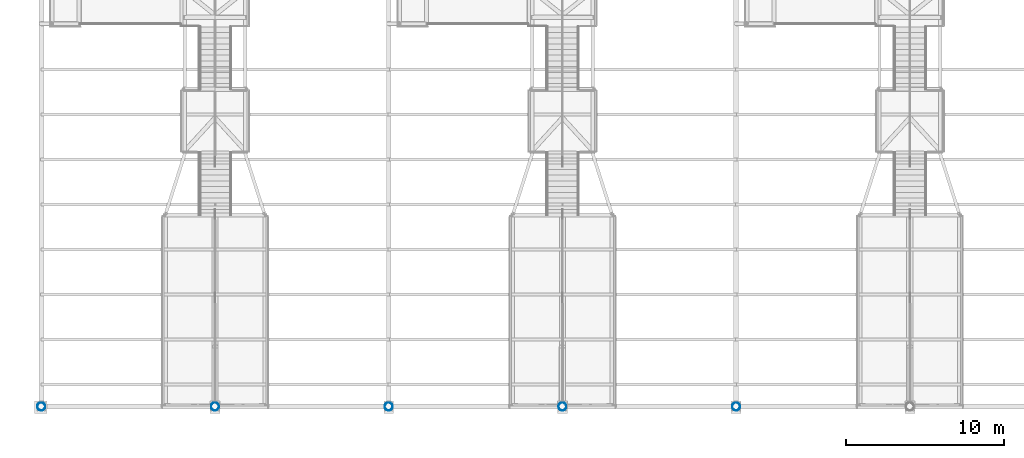
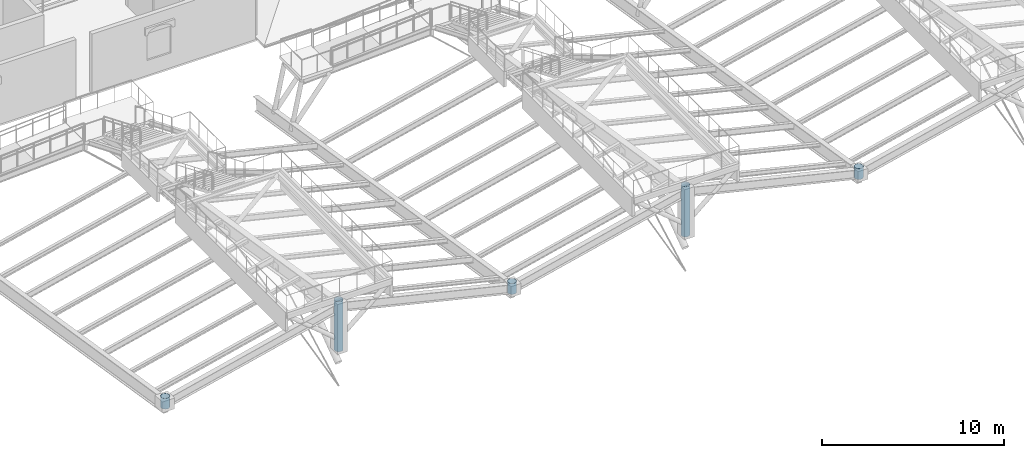
# One storey, part 1 of 43: 5 columns.
"""IFC4 building model written with IfcOpenShell, lengths in metres."""

from ifc_helpers import new_model, si_unit, direction, frame, origin, origin_2d, place, context, subcontext, project, spatial, hollow_circle, extrude, material, material_profile, profile_set, type_object, element, save


model = new_model("IFC4")

# Units and contexts
model_context = context("Model", 3, precision=1e-05, world=origin(), true_north=direction((0.0, 1.0)))
body_context = subcontext(model_context, "Body", "Model", "MODEL_VIEW")
ifc_project = project(units=[si_unit("LENGTHUNIT", "METRE"), si_unit("AREAUNIT", "SQUARE_METRE"), si_unit("VOLUMEUNIT", "CUBIC_METRE"), si_unit("PLANEANGLEUNIT", "RADIAN"), si_unit("MASSUNIT", "GRAM", prefix="KILO")], contexts=[model_context])

# Site, building, storey
site_placement = place(None, origin())
site = spatial("IfcSite", under=ifc_project, at=site_placement, CompositionType="ELEMENT")
building_placement = place(site_placement, origin())
building = spatial("IfcBuilding", under=site, at=building_placement, Name="Caurita Quay Ferry Terminal", CompositionType="ELEMENT")
storey_placement = place(building_placement, frame((0.0, 0.0, 14.10009765625)))
storey = spatial("IfcBuildingStorey", under=building, at=storey_placement, Name="L03", CompositionType="ELEMENT", Elevation=14.10009765625)

# Columns
ifc_material = material(Name="Hollow structural steel ASTM A500 Gr. C", Category="steel")
ifc_material_profile = material_profile(ifc_material, hollow_circle(Radius=0.25390625, WallThickness=0.01171875, at=origin_2d()), Name="HSS20.000X0.500")
ifc_profile_set = profile_set([ifc_material_profile], Name="Hollow structural steel ASTM A500 Gr. C")
column_type = type_object("IfcColumnType", Name="COL-MST-01", PredefinedType="COLUMN", material=ifc_profile_set)
column_1_placement = place(storey_placement, frame((0.0, 34.60009765625, 0.0), z_axis=(0.0, 0.0, 1.0), x_axis=(1.0, 0.0, 0.0)))
element("IfcColumn", 1, at=column_1_placement, inside=storey, type_object=column_type, Name="L03 Column V1-MST-01-S", PredefinedType="COLUMN", context=body_context, shape_type="SweptSolid", body=[
    extrude(hollow_circle(Radius=0.25390625, WallThickness=0.01171875, at=origin_2d()), origin(), (0.0, 0.0, 1.0), 0.719970703125),
])
column_2_placement = place(storey_placement, frame((11.0, 34.60009765625, 0.0), z_axis=(0.0, 0.0, 1.0), x_axis=(1.0, 0.0, 0.0)))
element("IfcColumn", 2, at=column_2_placement, inside=storey, type_object=column_type, Name="L03 Column V1-MST-02-S", PredefinedType="COLUMN", context=body_context, shape_type="SweptSolid", body=[
    extrude(hollow_circle(Radius=0.25390625, WallThickness=0.01171875, at=origin_2d()), origin(), (0.0, 0.0, 1.0), 3.35986328125),
])
column_3_placement = place(storey_placement, frame((22.0, 34.60009765625, 0.0), z_axis=(0.0, 0.0, 1.0), x_axis=(1.0, 0.0, 0.0)))
element("IfcColumn", 3, at=column_3_placement, inside=storey, type_object=column_type, Name="L03 Column V1-MST-03-S", PredefinedType="COLUMN", context=body_context, shape_type="SweptSolid", body=[
    extrude(hollow_circle(Radius=0.25390625, WallThickness=0.01171875, at=origin_2d()), origin(), (0.0, 0.0, 1.0), 0.719970703125),
])
column_4_placement = place(storey_placement, frame((33.0, 34.60009765625, 0.0), z_axis=(0.0, 0.0, 1.0), x_axis=(1.0, 0.0, 0.0)))
element("IfcColumn", 4, at=column_4_placement, inside=storey, type_object=column_type, Name="L03 Column V1-MST-04-S", PredefinedType="COLUMN", context=body_context, shape_type="SweptSolid", body=[
    extrude(hollow_circle(Radius=0.25390625, WallThickness=0.01171875, at=origin_2d()), origin(), (0.0, 0.0, 1.0), 3.35986328125),
])
column_5_placement = place(storey_placement, frame((44.0, 34.60009765625, 0.0), z_axis=(0.0, 0.0, 1.0), x_axis=(1.0, 0.0, 0.0)))
element("IfcColumn", 5, at=column_5_placement, inside=storey, type_object=column_type, Name="L03 Column V1-MST-05-S", PredefinedType="COLUMN", context=body_context, shape_type="SweptSolid", body=[
    extrude(hollow_circle(Radius=0.25390625, WallThickness=0.01171875, at=origin_2d()), origin(), (0.0, 0.0, 1.0), 0.719970703125),
])

save(model, "model.ifc")
